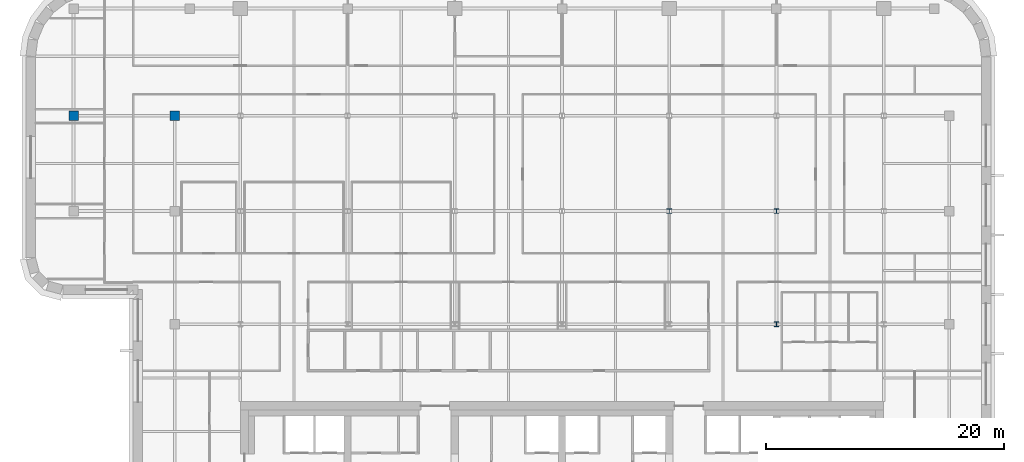
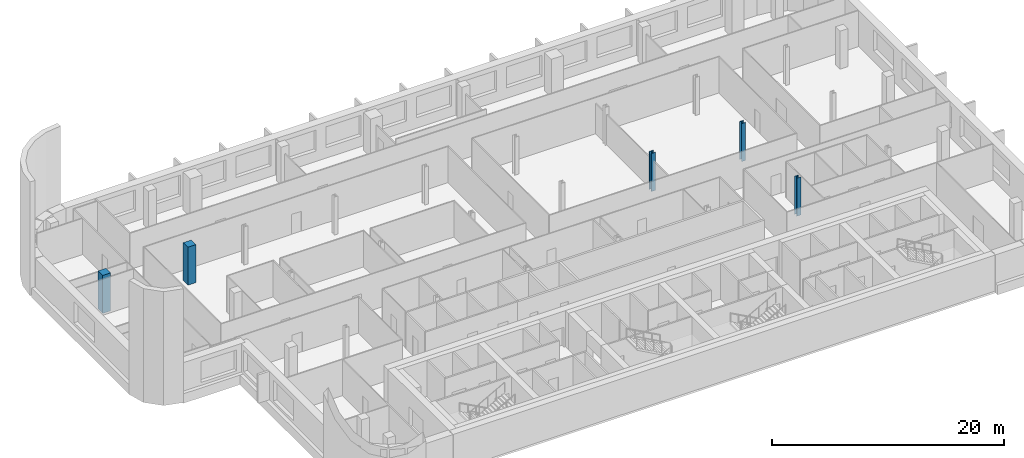
# One storey, part 2 of 17: 5 columns.
"""IFC4 building model written with IfcOpenShell, lengths in metres."""

from ifc_helpers import new_model, si_unit, direction, frame, origin, origin_2d, place, context, subcontext, project, spatial, rectangle, i_section, extrude, material, material_profile, profile_set, type_object, element, save


model = new_model("IFC4")

# Units and contexts
model_context = context("Model", 3, precision=1e-05, world=origin(), true_north=direction((0.0, 1.0)))
body_context = subcontext(model_context, "Body", "Model", "MODEL_VIEW")
ifc_project = project(units=[si_unit("LENGTHUNIT", "METRE"), si_unit("AREAUNIT", "SQUARE_METRE"), si_unit("VOLUMEUNIT", "CUBIC_METRE"), si_unit("PLANEANGLEUNIT", "RADIAN"), si_unit("MASSUNIT", "GRAM", prefix="KILO")], contexts=[model_context])

# Site, building, storey
site_placement = place(None, origin())
site = spatial("IfcSite", under=ifc_project, at=site_placement, CompositionType="ELEMENT")
building_placement = place(site_placement, origin())
building = spatial("IfcBuilding", under=site, at=building_placement, Name="Zellij Exchange Tower", CompositionType="ELEMENT")
storey_placement = place(building_placement, frame((0.0, 0.0, 232.5)))
storey = spatial("IfcBuildingStorey", under=building, at=storey_placement, Name="L54", CompositionType="ELEMENT", Elevation=232.5)

# Columns
ifc_material_1 = material(Name="Concrete C50/60", Category="concrete")
ifc_material_profile_1 = material_profile(ifc_material_1, rectangle(XDim=0.800048828125, YDim=0.800048828125, at=origin_2d()), Name="STR-COLUMN RC800x800 C50/60")
ifc_profile_set_1 = profile_set([ifc_material_profile_1], Name="Concrete C50/60")
column_type_1 = type_object("IfcColumnType", Name="STR-COLUMN RC800x800 C50/60", PredefinedType="COLUMN", material=ifc_profile_set_1)
for number, where, z_axis, x_axis, name in (
    (1, (-41.0, 22.0, 0.0), (0.0, 0.0, 1.0), (1.0, 0.0, 0.0), "C15"),
    (2, (-32.5, 22.0, 0.0), (0.0, 0.0, 1.0), (1.0, 0.0, 0.0), "C15"),
):
    element("IfcColumn", number, at=place(storey_placement, frame(where, z_axis=z_axis, x_axis=x_axis)), inside=storey, type_object=column_type_1, Name=name, PredefinedType="COLUMN", context=body_context, shape_type="SweptSolid", body=[
        extrude(rectangle(XDim=0.800048828125, YDim=0.800048828125, at=origin_2d()), origin(), (0.0, 0.0, 1.0), 4.0),
    ])
ifc_material_2 = material(Name="Structural steel ASTM A992 Gr 50", Category="steel")
ifc_material_profile_2 = material_profile(ifc_material_2, i_section(OverallWidth=0.398681640625, OverallDepth=0.385986328125, WebThickness=0.02099609375, FlangeThickness=0.033203125, at=origin_2d()), Name="W14x176")
ifc_profile_set_2 = profile_set([ifc_material_profile_2], Name="Structural steel ASTM A992 Gr 50")
column_type_2 = type_object("IfcColumnType", Name="STR-COLUMN W14x176", PredefinedType="COLUMN", material=ifc_profile_set_2)
for number, where, z_axis, x_axis, name in (
    (3, (18.0, 4.5, 0.0), (0.0, 0.0, 1.0), (1.0, 0.0, 0.0), "C2"),
    (4, (9.0, 14.0, 0.0), (0.0, 0.0, 1.0), (1.0, 0.0, 0.0), "C2"),
    (5, (18.0, 14.0, 0.0), (0.0, 0.0, 1.0), (1.0, 0.0, 0.0), "C2"),
):
    element("IfcColumn", number, at=place(storey_placement, frame(where, z_axis=z_axis, x_axis=x_axis)), inside=storey, type_object=column_type_2, Name=name, PredefinedType="COLUMN", context=body_context, shape_type="SweptSolid", body=[
        extrude(i_section(OverallWidth=0.398681640625, OverallDepth=0.385986328125, WebThickness=0.02099609375, FlangeThickness=0.033203125, at=origin_2d()), origin(), (0.0, 0.0, 1.0), 4.0),
    ])

save(model, "model.ifc")
